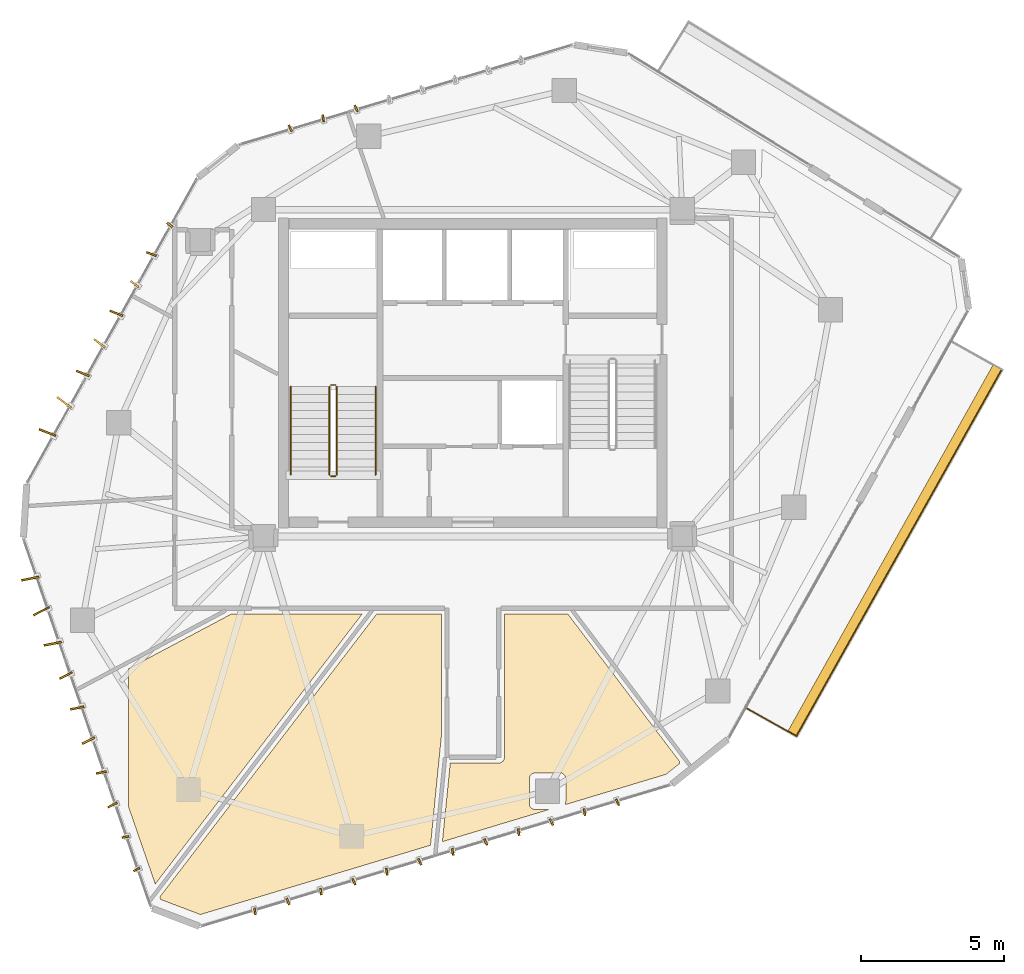
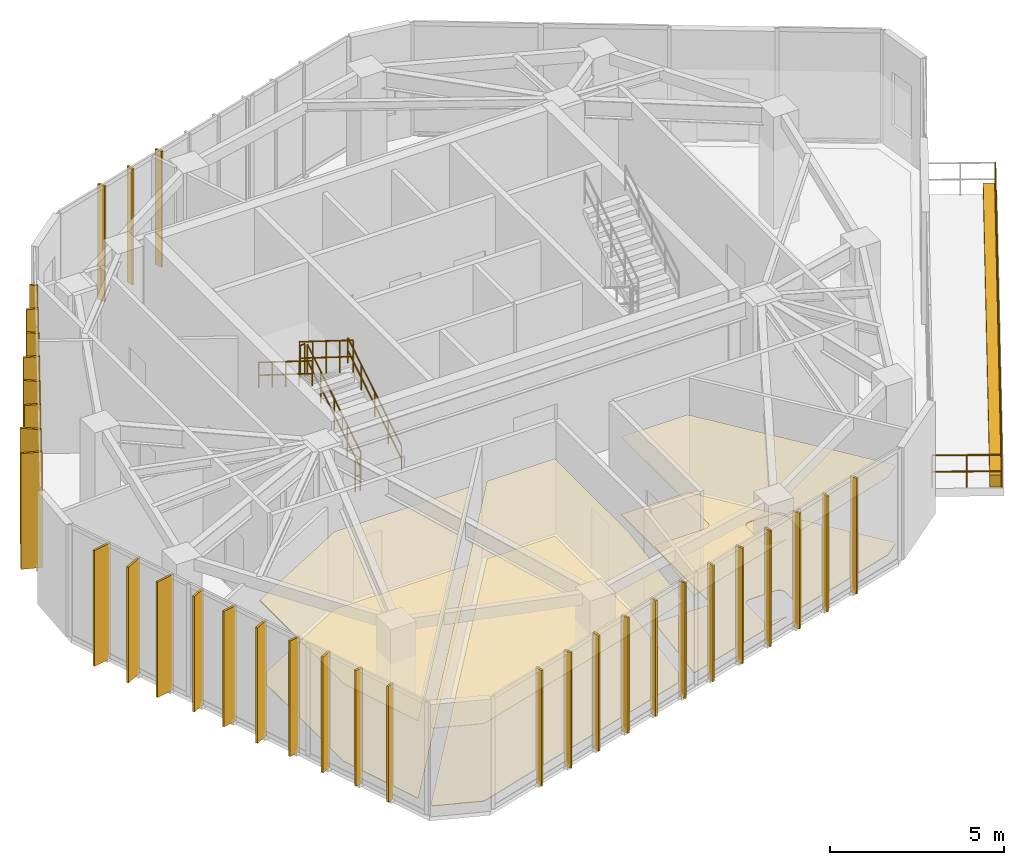
# One storey, part 19 of 20: 33 shading devices, 8 railings, 7 coverings.
"""IFC4 building model written with IfcOpenShell, lengths in metres."""

from ifc_helpers import new_model, si_unit, direction, frame, origin, origin_2d, place, context, subcontext, project, spatial, polyline, rectangle, circle, outline, extrude, source, transform, mapped, material, layer, layer_set, type_object, type_shapes, element, save


model = new_model("IFC4")

# Units and contexts
model_context = context("Model", 3, precision=1e-05, world=origin(), true_north=direction((0.0, 1.0)))
body_context = subcontext(model_context, "Body", "Model", "MODEL_VIEW")
ifc_project = project(units=[si_unit("LENGTHUNIT", "METRE"), si_unit("AREAUNIT", "SQUARE_METRE"), si_unit("VOLUMEUNIT", "CUBIC_METRE"), si_unit("PLANEANGLEUNIT", "RADIAN"), si_unit("MASSUNIT", "GRAM", prefix="KILO")], contexts=[model_context])

# Site, building, storey
site_placement = place(None, origin())
site = spatial("IfcSite", under=ifc_project, at=site_placement, CompositionType="ELEMENT")
building_placement = place(site_placement, origin())
building = spatial("IfcBuilding", under=site, at=building_placement, Name="Talar Marvaseh", CompositionType="ELEMENT")
storey_placement = place(building_placement, frame((0.0, 0.0, 291.800048828125)))
storey = spatial("IfcBuildingStorey", under=building, at=storey_placement, Name="L78", CompositionType="ELEMENT", Elevation=291.800048828125)

# Railings
ifc_material_1 = material(Name="Stainless Steel Grade 316", Category="steel")
railing_type_1 = type_object("IfcRailingType", Name="Brushed Stainless Wall Pitch Handrail 900", PredefinedType="HANDRAIL", material=ifc_material_1)
railing_1_placement = place(storey_placement, frame((22.610107421875, 27.64990234375, 0.175048828125)))
element("IfcRailing", 1, at=railing_1_placement, inside=storey, type_object=railing_type_1, Name="L78 ST-1 stair handrail 1", PredefinedType="HANDRAIL", context=body_context, shape_type="SweptSolid", body=[
    extrude(circle(Radius=0.02392578125, at=origin_2d()), frame((0.0, 0.0, 0.8759765625), z_axis=(0.0, 0.848028513186, 0.529950602248), x_axis=(-1.0, 0.0, 0.0)), (0.0, 0.0, 1.0), 3.632080078125),
    extrude(circle(Radius=0.02392578125, at=origin_2d()), frame((0.0, 0.0, 0.42578125), z_axis=(0.0, 0.848028513186, 0.529950602248), x_axis=(-1.0, 0.0, 0.0)), (0.0, 0.0, 1.0), 3.632080078125),
    extrude(circle(Radius=0.02099609375, at=origin_2d()), origin(), (0.0, 0.0, 1.0), 0.851806640625),
    extrude(circle(Radius=0.02099609375, at=origin_2d()), frame((0.0, 0.77001953125, 0.481201171875)), (0.0, 0.0, 1.0), 0.851806640625),
    extrude(circle(Radius=0.02099609375, at=origin_2d()), frame((0.0, 1.5400390625, 0.96240234375)), (0.0, 0.0, 1.0), 0.851806640625),
    extrude(circle(Radius=0.02099609375, at=origin_2d()), frame((0.0, 2.31005859375, 1.443603515625)), (0.0, 0.0, 1.0), 0.851806640625),
    extrude(circle(Radius=0.02099609375, at=origin_2d()), frame((0.0, 3.080078125, 1.9248046875)), (0.0, 0.0, 1.0), 0.851806640625),
])
railing_2_placement = place(storey_placement, frame((19.64990234375, 30.72998046875, 2.27490234375)))
element("IfcRailing", 2, at=railing_2_placement, inside=storey, type_object=railing_type_1, Name="L78 ST-1 stair handrail 2", PredefinedType="HANDRAIL", context=body_context, shape_type="SweptSolid", body=[
    extrude(circle(Radius=0.02392578125, at=origin_2d()), frame((0.0, 0.0, 0.8759765625), z_axis=(0.0, -0.847998304005, 0.529998940003), x_axis=(1.0, 0.0, 0.0)), (0.0, 0.0, 1.0), 3.632080078125),
    extrude(circle(Radius=0.02392578125, at=origin_2d()), frame((0.0, 0.0, 0.42578125), z_axis=(0.0, -0.847998304005, 0.529998940003), x_axis=(1.0, 0.0, 0.0)), (0.0, 0.0, 1.0), 3.632080078125),
    extrude(circle(Radius=0.02099609375, at=origin_2d()), origin(), (0.0, 0.0, 1.0), 0.851806640625),
    extrude(circle(Radius=0.02099609375, at=origin_2d()), frame((0.0, -0.77001953125, 0.481201171875)), (0.0, 0.0, 1.0), 0.851806640625),
    extrude(circle(Radius=0.02099609375, at=origin_2d()), frame((0.0, -1.5400390625, 0.96240234375)), (0.0, 0.0, 1.0), 0.851806640625),
    extrude(circle(Radius=0.02099609375, at=origin_2d()), frame((0.0, -2.31005859375, 1.44384765625)), (0.0, 0.0, 1.0), 0.851806640625),
    extrude(circle(Radius=0.02099609375, at=origin_2d()), frame((0.0, -3.080078125, 1.925048828125)), (0.0, 0.0, 1.0), 0.851806640625),
])
ifc_material_2 = material(Name="Tempered Clear Glass", Category="glass")
railing_type_2 = type_object("IfcRailingType", Name="External Laminated Glass Terrace Balustrade 1150", PredefinedType="BALUSTRADE", material=ifc_material_2)
railing_3_placement = place(storey_placement, frame((44.4462890625, 31.3125, 0.0)))
element("IfcRailing", 3, at=railing_3_placement, inside=storey, type_object=railing_type_2, Name="L78 External Terrace Balustrade 2 2", PredefinedType="BALUSTRADE", context=body_context, shape_type="SweptSolid", body=[
    extrude(circle(Radius=0.02392578125, at=origin_2d()), frame((0.0, 0.0, 1.1259765625), z_axis=(-0.488742451836, -0.87242811496, 0.0), x_axis=(0.87242811496, -0.488742451836, 0.0)), (0.0, 0.0, 1.0), 14.645263671875),
    extrude(circle(Radius=0.02392578125, at=origin_2d()), frame((0.0, 0.0, 0.55078125), z_axis=(-0.488742451836, -0.87242811496, 0.0), x_axis=(0.87242811496, -0.488742451836, 0.0)), (0.0, 0.0, 1.0), 14.645263671875),
    extrude(circle(Radius=0.02099609375, at=origin_2d()), origin(), (0.0, 0.0, 1.0), 1.101806640625),
    extrude(circle(Radius=0.02099609375, at=origin_2d()), frame((-0.550537109375, -0.98291015625, 0.0)), (0.0, 0.0, 1.0), 1.101806640625),
    extrude(circle(Radius=0.02099609375, at=origin_2d()), frame((-1.10107421875, -1.965576171875, 0.0)), (0.0, 0.0, 1.0), 1.101806640625),
    extrude(circle(Radius=0.02099609375, at=origin_2d()), frame((-1.65185546875, -2.948486328125, 0.0)), (0.0, 0.0, 1.0), 1.101806640625),
    extrude(circle(Radius=0.02099609375, at=origin_2d()), frame((-2.202392578125, -3.931396484375, 0.0)), (0.0, 0.0, 1.0), 1.101806640625),
    extrude(circle(Radius=0.02099609375, at=origin_2d()), frame((-2.7529296875, -4.9140625, 0.0)), (0.0, 0.0, 1.0), 1.101806640625),
    extrude(circle(Radius=0.02099609375, at=origin_2d()), frame((-3.303466796875, -5.89697265625, 0.0)), (0.0, 0.0, 1.0), 1.101806640625),
    extrude(circle(Radius=0.02099609375, at=origin_2d()), frame((-3.854248046875, -6.8798828125, 0.0)), (0.0, 0.0, 1.0), 1.101806640625),
    extrude(circle(Radius=0.02099609375, at=origin_2d()), frame((-4.40478515625, -7.86279296875, 0.0)), (0.0, 0.0, 1.0), 1.101806640625),
    extrude(circle(Radius=0.02099609375, at=origin_2d()), frame((-4.955322265625, -8.845458984375, 0.0)), (0.0, 0.0, 1.0), 1.101806640625),
    extrude(circle(Radius=0.02099609375, at=origin_2d()), frame((-5.505859375, -9.828369140625, 0.0)), (0.0, 0.0, 1.0), 1.101806640625),
    extrude(circle(Radius=0.02099609375, at=origin_2d()), frame((-6.056640625, -10.811279296875, 0.0)), (0.0, 0.0, 1.0), 1.101806640625),
    extrude(circle(Radius=0.02099609375, at=origin_2d()), frame((-6.607177734375, -11.7939453125, 0.0)), (0.0, 0.0, 1.0), 1.101806640625),
    extrude(circle(Radius=0.02099609375, at=origin_2d()), frame((-7.15771484375, -12.77685546875, 0.0)), (0.0, 0.0, 1.0), 1.101806640625),
])
railing_4_placement = place(storey_placement, frame((37.28857421875, 18.53564453125, 0.0)))
element("IfcRailing", 4, at=railing_4_placement, inside=storey, type_object=railing_type_2, Name="L78 External Terrace Balustrade 2 3", PredefinedType="BALUSTRADE", context=body_context, shape_type="SweptSolid", body=[
    extrude(circle(Radius=0.02392578125, at=origin_2d()), frame((0.0, 0.0, 1.1259765625), z_axis=(-0.872427301527, 0.488743903849, 0.0), x_axis=(-0.488743903849, -0.872427301527, 0.0)), (0.0, 0.0, 1.0), 2.010009765625),
    extrude(circle(Radius=0.02392578125, at=origin_2d()), frame((0.0, 0.0, 0.55078125), z_axis=(-0.872427301527, 0.488743903849, 0.0), x_axis=(-0.488743903849, -0.872427301527, 0.0)), (0.0, 0.0, 1.0), 2.010009765625),
    extrude(circle(Radius=0.02099609375, at=origin_2d()), origin(), (0.0, 0.0, 1.0), 1.101806640625),
    extrude(circle(Radius=0.02099609375, at=origin_2d()), frame((-0.876953125, 0.4912109375, 0.0)), (0.0, 0.0, 1.0), 1.101806640625),
    extrude(circle(Radius=0.02099609375, at=origin_2d()), frame((-1.753662109375, 0.982421875, 0.0)), (0.0, 0.0, 1.0), 1.101806640625),
])
railing_type_3 = type_object("IfcRailingType", Name="Painted Steel Core Stair Well Guardrail 1150", PredefinedType="GUARDRAIL", material=ifc_material_1)
railing_5_placement = place(storey_placement, frame((21.260009765625, 27.64990234375, 0.175048828125)))
element("IfcRailing", 5, at=railing_5_placement, inside=storey, type_object=railing_type_3, Name="L78 ST-1 stair guard 1", PredefinedType="GUARDRAIL", context=body_context, shape_type="SweptSolid", body=[
    extrude(circle(Radius=0.02392578125, at=origin_2d()), frame((0.0, 0.0, 1.1259765625), z_axis=(0.0, 0.848028513186, 0.529950602248), x_axis=(-1.0, 0.0, 0.0)), (0.0, 0.0, 1.0), 3.632080078125),
    extrude(circle(Radius=0.02392578125, at=origin_2d()), frame((0.0, 0.0, 0.55078125), z_axis=(0.0, 0.848028513186, 0.529950602248), x_axis=(-1.0, 0.0, 0.0)), (0.0, 0.0, 1.0), 3.632080078125),
    extrude(circle(Radius=0.02099609375, at=origin_2d()), origin(), (0.0, 0.0, 1.0), 1.101806640625),
    extrude(circle(Radius=0.02099609375, at=origin_2d()), frame((0.0, 0.77001953125, 0.481201171875)), (0.0, 0.0, 1.0), 1.101806640625),
    extrude(circle(Radius=0.02099609375, at=origin_2d()), frame((0.0, 1.5400390625, 0.96240234375)), (0.0, 0.0, 1.0), 1.101806640625),
    extrude(circle(Radius=0.02099609375, at=origin_2d()), frame((0.0, 2.31005859375, 1.443603515625)), (0.0, 0.0, 1.0), 1.101806640625),
    extrude(circle(Radius=0.02099609375, at=origin_2d()), frame((0.0, 3.080078125, 1.9248046875)), (0.0, 0.0, 1.0), 1.101806640625),
])
railing_6_placement = place(storey_placement, frame((21.2099609375, 30.780029296875, 2.099853515625)))
element("IfcRailing", 6, at=railing_6_placement, inside=storey, type_object=railing_type_3, Name="L78 ST-1 stair guard 2", PredefinedType="GUARDRAIL", context=body_context, shape_type="SweptSolid", body=[
    extrude(circle(Radius=0.02392578125, at=origin_2d()), frame((0.0, 0.0, 1.1259765625), z_axis=(-1.0, 0.0, 0.0), x_axis=(0.0, -1.0, 0.0)), (0.0, 0.0, 1.0), 0.159912109375),
    extrude(circle(Radius=0.02392578125, at=origin_2d()), frame((0.0, 0.0, 0.55078125), z_axis=(-1.0, 0.0, 0.0), x_axis=(0.0, -1.0, 0.0)), (0.0, 0.0, 1.0), 0.159912109375),
    extrude(circle(Radius=0.02099609375, at=origin_2d()), origin(), (0.0, 0.0, 1.0), 1.101806640625),
    extrude(circle(Radius=0.02099609375, at=origin_2d()), frame((-0.159912109375, 0.0, 0.0)), (0.0, 0.0, 1.0), 1.101806640625),
])
railing_7_placement = place(storey_placement, frame((21.0, 30.72998046875, 2.27490234375)))
element("IfcRailing", 7, at=railing_7_placement, inside=storey, type_object=railing_type_3, Name="L78 ST-1 stair guard 3", PredefinedType="GUARDRAIL", context=body_context, shape_type="SweptSolid", body=[
    extrude(circle(Radius=0.02392578125, at=origin_2d()), frame((0.0, 0.0, 1.1259765625), z_axis=(0.0, -0.847998304005, 0.529998940003), x_axis=(1.0, 0.0, 0.0)), (0.0, 0.0, 1.0), 3.632080078125),
    extrude(circle(Radius=0.02392578125, at=origin_2d()), frame((0.0, 0.0, 0.55078125), z_axis=(0.0, -0.847998304005, 0.529998940003), x_axis=(1.0, 0.0, 0.0)), (0.0, 0.0, 1.0), 3.632080078125),
    extrude(circle(Radius=0.02099609375, at=origin_2d()), origin(), (0.0, 0.0, 1.0), 1.101806640625),
    extrude(circle(Radius=0.02099609375, at=origin_2d()), frame((0.0, -0.77001953125, 0.481201171875)), (0.0, 0.0, 1.0), 1.101806640625),
    extrude(circle(Radius=0.02099609375, at=origin_2d()), frame((0.0, -1.5400390625, 0.96240234375)), (0.0, 0.0, 1.0), 1.101806640625),
    extrude(circle(Radius=0.02099609375, at=origin_2d()), frame((0.0, -2.31005859375, 1.44384765625)), (0.0, 0.0, 1.0), 1.101806640625),
    extrude(circle(Radius=0.02099609375, at=origin_2d()), frame((0.0, -3.080078125, 1.925048828125)), (0.0, 0.0, 1.0), 1.101806640625),
])
railing_8_placement = place(storey_placement, frame((21.2099609375, 27.60009765625, 0.0)))
element("IfcRailing", 8, at=railing_8_placement, inside=storey, type_object=railing_type_3, Name="L78 ST-1 stair guard 4", PredefinedType="GUARDRAIL", context=body_context, shape_type="SweptSolid", body=[
    extrude(circle(Radius=0.02392578125, at=origin_2d()), frame((0.0, 0.0, 1.1259765625), z_axis=(-1.0, 0.0, 0.0), x_axis=(0.0, -1.0, 0.0)), (0.0, 0.0, 1.0), 0.159912109375),
    extrude(circle(Radius=0.02392578125, at=origin_2d()), frame((0.0, 0.0, 0.55078125), z_axis=(-1.0, 0.0, 0.0), x_axis=(0.0, -1.0, 0.0)), (0.0, 0.0, 1.0), 0.159912109375),
    extrude(circle(Radius=0.02099609375, at=origin_2d()), origin(), (0.0, 0.0, 1.0), 1.101806640625),
    extrude(circle(Radius=0.02099609375, at=origin_2d()), frame((-0.159912109375, 0.0, 0.0)), (0.0, 0.0, 1.0), 1.101806640625),
])

# Coverings
ifc_material_3 = material(Name="Mineral Fibre Acoustic Ceiling")
ifc_layer_1 = layer(ifc_material_3, 0.02490234375)
ifc_layer_set_1 = layer_set([ifc_layer_1], Name="Mineral Fibre Acoustic Ceiling")
covering_type_1 = type_object("IfcCoveringType", Name="Perforated Mineral Fibre Acoustic Suspended Ceiling", PredefinedType="CEILING", material=ifc_layer_set_1)
covering_1_placement = place(storey_placement, frame((0.0, 0.0, 2.719970703125)))
element("IfcCovering", 9, at=covering_1_placement, inside=storey, type_object=covering_type_1, Name="L78 Hospitality Tea Pantry Acoustic Ceiling", PredefinedType="CEILING", context=body_context, shape_type="SweptSolid", body=[
    extrude(outline(polyline([(14.926025390625, 13.38037109375), (14.0, 16.054931640625), (14.0, 20.89306640625), (17.586669921875, 22.800048828125), (22.145751953125, 22.800048828125), (14.926025390625, 13.38037109375)])), origin(), (0.0, 0.0, 1.0), 0.02490234375),
])
covering_2_placement = place(storey_placement, frame((0.0, 0.0, 2.719970703125)))
element("IfcCovering", 10, at=covering_2_placement, inside=storey, type_object=covering_type_1, Name="L78 Registrar Mail and Post Room Acoustic Ceiling", PredefinedType="CEILING", context=body_context, shape_type="SweptSolid", body=[
    extrude(outline(polyline([(22.649658203125, 22.800048828125), (24.89990234375, 22.800048828125), (24.89990234375, 18.490966796875), (24.52490234375, 14.732666015625), (16.49853515625, 12.315673828125), (15.112060546875, 12.843017578125), (15.082763671875, 12.927490234375), (22.649658203125, 22.800048828125)])), origin(), (0.0, 0.0, 1.0), 0.02490234375),
])
covering_3_placement = place(storey_placement, frame((0.0, 0.0, 2.719970703125)))
element("IfcCovering", 11, at=covering_3_placement, inside=storey, type_object=covering_type_1, Name="L78 Scholars' Servery Pantry Acoustic Ceiling", PredefinedType="CEILING", context=body_context, shape_type="SweptSolid", body=[
    extrude(outline(polyline([(26.89990234375, 17.60009765625), (26.919677734375, 17.60107421875), (26.93896484375, 17.603759765625), (26.9580078125, 17.608642578125), (26.9765625, 17.615234375), (26.994384765625, 17.62353515625), (27.010986328125, 17.6337890625), (27.02685546875, 17.6455078125), (27.04150390625, 17.65869140625), (27.0546875, 17.673095703125), (27.06640625, 17.68896484375), (27.076416015625, 17.705810546875), (27.084716796875, 17.723388671875), (27.09130859375, 17.741943359375), (27.09619140625, 17.760986328125), (27.09912109375, 17.780517578125), (27.10009765625, 17.800048828125), (27.10009765625, 22.800048828125), (29.311279296875, 22.800048828125), (33.199951171875, 17.66943359375), (33.199951171875, 17.574951171875), (32.741455078125, 17.206787109375), (29.23828125, 16.152099609375), (29.239501953125, 16.160888671875), (29.240478515625, 16.180419921875), (29.244873046875, 17.04248046875), (29.244140625, 17.06103515625), (29.24169921875, 17.07958984375), (29.2373046875, 17.097900390625), (29.2314453125, 17.115478515625), (29.22412109375, 17.132568359375), (29.21484375, 17.14892578125), (29.204345703125, 17.164306640625), (29.1923828125, 17.1787109375), (29.17919921875, 17.191650390625), (29.164306640625, 17.205078125), (29.14990234375, 17.217041015625), (29.134765625, 17.227294921875), (29.118408203125, 17.236328125), (29.1015625, 17.243896484375), (29.083984375, 17.24951171875), (29.06591796875, 17.25390625), (29.047607421875, 17.256103515625), (29.029052734375, 17.257080078125), (28.16845703125, 17.252685546875), (28.148681640625, 17.25146484375), (28.12939453125, 17.24853515625), (28.110595703125, 17.24365234375), (28.09228515625, 17.237060546875), (28.074462890625, 17.228759765625), (28.057861328125, 17.218505859375), (28.0419921875, 17.206787109375), (28.027587890625, 17.193603515625), (28.014404296875, 17.17919921875), (28.0029296875, 17.163330078125), (27.992919921875, 17.146484375), (27.984619140625, 17.12890625), (27.97802734375, 17.110595703125), (27.97314453125, 17.091552734375), (27.970458984375, 17.072021484375), (27.969482421875, 17.052490234375), (27.969482421875, 16.181396484375), (27.970458984375, 16.161865234375), (27.97314453125, 16.142333984375), (27.97802734375, 16.123291015625), (27.984619140625, 16.10498046875), (27.992919921875, 16.087158203125), (28.003173828125, 16.0703125), (28.014892578125, 16.054443359375), (28.028076171875, 16.0400390625), (28.04248046875, 16.02685546875), (28.058349609375, 16.01513671875), (28.0751953125, 16.0048828125), (28.093017578125, 15.99658203125), (28.111328125, 15.989990234375), (28.13037109375, 15.985107421875), (28.14990234375, 15.982421875), (28.16943359375, 15.9814453125), (28.671875, 15.9814453125), (24.939453125, 14.857421875), (25.213134765625, 17.60009765625), (26.89990234375, 17.60009765625)])), origin(), (0.0, 0.0, 1.0), 0.02490234375),
])
ifc_material_4 = material(Name="Planted Terrace Vegetated Substrate")
ifc_layer_2 = layer(ifc_material_4, 0.39990234375)
ifc_layer_set_2 = layer_set([ifc_layer_2], Name="Planted Terrace Vegetated Substrate")
covering_type_2 = type_object("IfcCoveringType", Name="Planted Terrace Soil Planter Box Cladding", PredefinedType="CLADDING", material=ifc_layer_set_2)
covering_4_placement = place(storey_placement, origin())
element("IfcCovering", 12, at=covering_4_placement, inside=storey, type_object=covering_type_2, Name="L78 Balcony Structural Planter 2", PredefinedType="CLADDING", context=body_context, shape_type="SweptSolid", body=[
    extrude(outline(polyline([(44.4462890625, 31.3125), (37.28857421875, 18.53564453125), (36.9833984375, 18.706787109375), (44.14111328125, 31.4833984375), (44.4462890625, 31.3125)])), origin(), (0.0, 0.0, 1.0), 0.419921875),
])
ifc_material_5 = material(Name="Porcelain Stoneware Tile", Category="masonry")
ifc_layer_3 = layer(ifc_material_5, 0.02001953125)
ifc_layer_set_3 = layer_set([ifc_layer_3], Name="Porcelain Stoneware Tile")
covering_type_3 = type_object("IfcCoveringType", Name="Polished Porcelain Stoneware Gallery Flooring", PredefinedType="FLOORING", material=ifc_layer_set_3)
covering_5_placement = place(storey_placement, origin())
element("IfcCovering", 13, at=covering_5_placement, inside=storey, type_object=covering_type_3, Name="L78 Hospitality Tea Pantry Flooring", PredefinedType="FLOORING", context=body_context, shape_type="SweptSolid", body=[
    extrude(outline(polyline([(14.926025390625, 13.38037109375), (14.0, 16.054931640625), (14.0, 20.89306640625), (17.586669921875, 22.800048828125), (22.145751953125, 22.800048828125), (14.926025390625, 13.38037109375)])), origin(), (0.0, 0.0, 1.0), 0.02001953125),
])
covering_6_placement = place(storey_placement, origin())
element("IfcCovering", 14, at=covering_6_placement, inside=storey, type_object=covering_type_3, Name="L78 Registrar Mail and Post Room Flooring", PredefinedType="FLOORING", context=body_context, shape_type="SweptSolid", body=[
    extrude(outline(polyline([(22.649658203125, 22.800048828125), (24.89990234375, 22.800048828125), (24.89990234375, 18.490966796875), (24.52490234375, 14.732666015625), (16.49853515625, 12.315673828125), (15.112060546875, 12.843017578125), (15.082763671875, 12.927490234375), (22.649658203125, 22.800048828125)])), origin(), (0.0, 0.0, 1.0), 0.02001953125),
])
covering_7_placement = place(storey_placement, origin())
element("IfcCovering", 15, at=covering_7_placement, inside=storey, type_object=covering_type_3, Name="L78 Scholars' Servery Pantry Flooring", PredefinedType="FLOORING", context=body_context, shape_type="SweptSolid", body=[
    extrude(outline(polyline([(26.89990234375, 17.60009765625), (26.919677734375, 17.60107421875), (26.93896484375, 17.603759765625), (26.9580078125, 17.608642578125), (26.9765625, 17.615234375), (26.994384765625, 17.62353515625), (27.010986328125, 17.6337890625), (27.02685546875, 17.6455078125), (27.04150390625, 17.65869140625), (27.0546875, 17.673095703125), (27.06640625, 17.68896484375), (27.076416015625, 17.705810546875), (27.084716796875, 17.723388671875), (27.09130859375, 17.741943359375), (27.09619140625, 17.760986328125), (27.09912109375, 17.780517578125), (27.10009765625, 17.800048828125), (27.10009765625, 22.800048828125), (29.311279296875, 22.800048828125), (33.199951171875, 17.66943359375), (33.199951171875, 17.574951171875), (32.741455078125, 17.206787109375), (29.23828125, 16.152099609375), (29.239501953125, 16.160888671875), (29.240478515625, 16.180419921875), (29.244873046875, 17.04248046875), (29.244140625, 17.06103515625), (29.24169921875, 17.07958984375), (29.2373046875, 17.097900390625), (29.2314453125, 17.115478515625), (29.22412109375, 17.132568359375), (29.21484375, 17.14892578125), (29.204345703125, 17.164306640625), (29.1923828125, 17.1787109375), (29.17919921875, 17.191650390625), (29.164306640625, 17.205078125), (29.14990234375, 17.217041015625), (29.134765625, 17.227294921875), (29.118408203125, 17.236328125), (29.1015625, 17.243896484375), (29.083984375, 17.24951171875), (29.06591796875, 17.25390625), (29.047607421875, 17.256103515625), (29.029052734375, 17.257080078125), (28.16845703125, 17.252685546875), (28.148681640625, 17.25146484375), (28.12939453125, 17.24853515625), (28.110595703125, 17.24365234375), (28.09228515625, 17.237060546875), (28.074462890625, 17.228759765625), (28.057861328125, 17.218505859375), (28.0419921875, 17.206787109375), (28.027587890625, 17.193603515625), (28.014404296875, 17.17919921875), (28.0029296875, 17.163330078125), (27.992919921875, 17.146484375), (27.984619140625, 17.12890625), (27.97802734375, 17.110595703125), (27.97314453125, 17.091552734375), (27.970458984375, 17.072021484375), (27.969482421875, 17.052490234375), (27.969482421875, 16.181396484375), (27.970458984375, 16.161865234375), (27.97314453125, 16.142333984375), (27.97802734375, 16.123291015625), (27.984619140625, 16.10498046875), (27.992919921875, 16.087158203125), (28.003173828125, 16.0703125), (28.014892578125, 16.054443359375), (28.028076171875, 16.0400390625), (28.04248046875, 16.02685546875), (28.058349609375, 16.01513671875), (28.0751953125, 16.0048828125), (28.093017578125, 15.99658203125), (28.111328125, 15.989990234375), (28.13037109375, 15.985107421875), (28.14990234375, 15.982421875), (28.16943359375, 15.9814453125), (28.671875, 15.9814453125), (24.939453125, 14.857421875), (25.213134765625, 17.60009765625), (26.89990234375, 17.60009765625)])), origin(), (0.0, 0.0, 1.0), 0.02001953125),
])

# Shading devices
ifc_material_6 = material(Name="Anodised Champagne Bronze Aluminium", Category="aluminium")
ifc_layer_4 = layer(ifc_material_6, 0.06494140625)
ifc_layer_set_4 = layer_set([ifc_layer_4], Name="Anodised Champagne Bronze Aluminium")
shading_device_type_1 = type_object("IfcShadingDeviceType", Name="Sawtooth Champagne Bronze Vertical Fin 240", PredefinedType="USERDEFINED", material=ifc_layer_set_4)
shared_shape_1 = source(origin(), body_context, "Body", "SweptSolid", [
    extrude(rectangle(XDim=0.239990234375, YDim=0.06494140625, at=origin_2d()), origin(), (0.0, 0.0, 1.0), 4.06005859375),
])
type_shapes(shading_device_type_1, [shared_shape_1])
for number, where, z_axis, x_axis, name in (
    (16, (14.27978515625, 13.88671875, -0.1201171875), (0.0, 0.0, 1.0), (-0.890212804611, -0.455544907234, 0.0), "L78 Sawtooth Vertical Solar Fin"),
    (17, (13.88720703125, 15.020751953125, -0.1201171875), (0.0, 0.0, 1.0), (-0.981292663992, -0.192521966526, 0.0), "L78 Sawtooth Vertical Solar Fin"),
    (18, (15.431396484375, 36.365478515625, -0.1201171875), (0.0, 0.0, 1.0), (-0.796740914397, 0.604321036641, 0.0), "L78 Sawtooth Vertical Solar Fin"),
    (19, (19.63232421875, 39.737060546875, -0.1201171875), (0.0, 0.0, 1.0), (-0.41754991917, 0.9086539853, 0.0), "L78 Sawtooth Vertical Solar Fin"),
    (20, (20.78173828125, 40.081298828125, -0.1201171875), (0.0, 0.0, 1.0), (-0.15091576158, 0.988546626572, 0.0), "L78 Sawtooth Vertical Solar Fin"),
    (21, (21.931396484375, 40.42578125, -0.1201171875), (0.0, 0.0, 1.0), (-0.41754991917, 0.9086539853, 0.0), "L78 Sawtooth Vertical Solar Fin"),
    (22, (31.044189453125, 16.231201171875, -0.1201171875), (0.0, 0.0, 1.0), (0.418818232045, -0.908070090085, 0.0), "L78 Sawtooth Vertical Solar Fin"),
    (23, (29.895263671875, 15.885009765625, -0.1201171875), (0.0, 0.0, 1.0), (0.152295885498, -0.988334944875, 0.0), "L78 Sawtooth Vertical Solar Fin"),
    (24, (28.74609375, 15.5390625, -0.1201171875), (0.0, 0.0, 1.0), (0.418818232045, -0.908070090085, 0.0), "L78 Sawtooth Vertical Solar Fin"),
    (25, (27.59716796875, 15.193115234375, -0.1201171875), (0.0, 0.0, 1.0), (0.152295885498, -0.988334944875, 0.0), "L78 Sawtooth Vertical Solar Fin"),
    (26, (26.447998046875, 14.846923828125, -0.1201171875), (0.0, 0.0, 1.0), (0.418818232045, -0.908070090085, 0.0), "L78 Sawtooth Vertical Solar Fin"),
    (27, (25.299072265625, 14.5009765625, -0.1201171875), (0.0, 0.0, 1.0), (0.152295885498, -0.988334944875, 0.0), "L78 Sawtooth Vertical Solar Fin"),
    (28, (24.150146484375, 14.155029296875, -0.1201171875), (0.0, 0.0, 1.0), (0.418818232045, -0.908070090085, 0.0), "L78 Sawtooth Vertical Solar Fin"),
    (29, (23.0009765625, 13.80908203125, -0.1201171875), (0.0, 0.0, 1.0), (0.152295885498, -0.988334944875, 0.0), "L78 Sawtooth Vertical Solar Fin"),
    (30, (21.85205078125, 13.462890625, -0.1201171875), (0.0, 0.0, 1.0), (0.418818232045, -0.908070090085, 0.0), "L78 Sawtooth Vertical Solar Fin"),
    (31, (20.702880859375, 13.116943359375, -0.1201171875), (0.0, 0.0, 1.0), (0.152295885498, -0.988334944875, 0.0), "L78 Sawtooth Vertical Solar Fin"),
    (32, (19.553955078125, 12.77099609375, -0.1201171875), (0.0, 0.0, 1.0), (0.418818232045, -0.908070090085, 0.0), "L78 Sawtooth Vertical Solar Fin"),
    (33, (18.40478515625, 12.4248046875, -0.1201171875), (0.0, 0.0, 1.0), (0.152295885498, -0.988334944875, 0.0), "L78 Sawtooth Vertical Solar Fin"),
):
    element("IfcShadingDevice", number, at=place(storey_placement, frame(where, z_axis=z_axis, x_axis=x_axis)), inside=storey, type_object=shading_device_type_1, Name=name, ObjectType="FIN", PredefinedType="USERDEFINED", context=body_context, shape_type="MappedRepresentation", body=[
        mapped(shared_shape_1, transform((0.0, 0.0, 0.0), x_axis=(1.0, 0.0, 0.0), y_axis=(0.0, 1.0, 0.0), z_axis=(0.0, 0.0, 1.0), scale=1.0)),
    ])
ifc_layer_5 = layer(ifc_material_6, 0.06494140625)
ifc_layer_set_5 = layer_set([ifc_layer_5], Name="Anodised Champagne Bronze Aluminium")
shading_device_type_2 = type_object("IfcShadingDeviceType", Name="Sawtooth Champagne Bronze Vertical Fin 360", PredefinedType="USERDEFINED", material=ifc_layer_set_5)
shared_shape_2 = source(origin(), body_context, "Body", "SweptSolid", [
    extrude(rectangle(XDim=0.360107421875, YDim=0.06494140625, at=origin_2d()), origin(), (0.0, 0.0, 1.0), 4.06005859375),
])
type_shapes(shading_device_type_2, [shared_shape_2])
for number, where, z_axis, x_axis, name in (
    (34, (13.43798828125, 16.135009765625, -0.1201171875), (0.0, 0.0, 1.0), (-0.890212804611, -0.455544907234, 0.0), "L78 Sawtooth Vertical Solar Fin"),
    (35, (13.04541015625, 17.26904296875, -0.1201171875), (0.0, 0.0, 1.0), (-0.981292663992, -0.192521966526, 0.0), "L78 Sawtooth Vertical Solar Fin"),
    (36, (14.208740234375, 34.29931640625, -0.1201171875), (0.0, 0.0, 1.0), (-0.796740914397, 0.604321036641, 0.0), "L78 Sawtooth Vertical Solar Fin"),
    (37, (14.7939453125, 35.346923828125, -0.1201171875), (0.0, 0.0, 1.0), (-0.932449975201, 0.361299105657, 0.0), "L78 Sawtooth Vertical Solar Fin"),
):
    element("IfcShadingDevice", number, at=place(storey_placement, frame(where, z_axis=z_axis, x_axis=x_axis)), inside=storey, type_object=shading_device_type_2, Name=name, ObjectType="FIN", PredefinedType="USERDEFINED", context=body_context, shape_type="MappedRepresentation", body=[
        mapped(shared_shape_2, transform((0.0, 0.0, 0.0), x_axis=(1.0, 0.0, 0.0), y_axis=(0.0, 1.0, 0.0), z_axis=(0.0, 0.0, 1.0), scale=1.0)),
    ])
ifc_layer_6 = layer(ifc_material_6, 0.06494140625)
ifc_layer_set_6 = layer_set([ifc_layer_6], Name="Anodised Champagne Bronze Aluminium")
shading_device_type_3 = type_object("IfcShadingDeviceType", Name="Sawtooth Champagne Bronze Vertical Fin 480", PredefinedType="USERDEFINED", material=ifc_layer_set_6)
shared_shape_3 = source(origin(), body_context, "Body", "SweptSolid", [
    extrude(rectangle(XDim=0.47998046875, YDim=0.06494140625, at=origin_2d()), origin(), (0.0, 0.0, 1.0), 4.06005859375),
])
type_shapes(shading_device_type_3, [shared_shape_3])
for number, where, z_axis, x_axis, name in (
    (38, (12.59619140625, 18.38330078125, -0.1201171875), (0.0, 0.0, 1.0), (-0.890212804611, -0.455544907234, 0.0), "L78 Sawtooth Vertical Solar Fin"),
    (39, (12.20361328125, 19.517333984375, -0.1201171875), (0.0, 0.0, 1.0), (-0.981292663992, -0.192521966526, 0.0), "L78 Sawtooth Vertical Solar Fin"),
    (40, (11.810791015625, 20.651123046875, -0.1201171875), (0.0, 0.0, 1.0), (-0.890212804611, -0.455544907234, 0.0), "L78 Sawtooth Vertical Solar Fin"),
    (41, (12.40087890625, 31.185302734375, -0.1201171875), (0.0, 0.0, 1.0), (-0.932449975201, 0.361299105657, 0.0), "L78 Sawtooth Vertical Solar Fin"),
    (42, (12.986083984375, 32.233154296875, -0.1201171875), (0.0, 0.0, 1.0), (-0.796740914397, 0.604321036641, 0.0), "L78 Sawtooth Vertical Solar Fin"),
    (43, (13.5712890625, 33.28076171875, -0.1201171875), (0.0, 0.0, 1.0), (-0.932449975201, 0.361299105657, 0.0), "L78 Sawtooth Vertical Solar Fin"),
):
    element("IfcShadingDevice", number, at=place(storey_placement, frame(where, z_axis=z_axis, x_axis=x_axis)), inside=storey, type_object=shading_device_type_3, Name=name, ObjectType="FIN", PredefinedType="USERDEFINED", context=body_context, shape_type="MappedRepresentation", body=[
        mapped(shared_shape_3, transform((0.0, 0.0, 0.0), x_axis=(1.0, 0.0, 0.0), y_axis=(0.0, 1.0, 0.0), z_axis=(0.0, 0.0, 1.0), scale=1.0)),
    ])
ifc_layer_7 = layer(ifc_material_6, 0.06494140625)
ifc_layer_set_7 = layer_set([ifc_layer_7], Name="Anodised Champagne Bronze Aluminium")
shading_device_type_4 = type_object("IfcShadingDeviceType", Name="Sawtooth Champagne Bronze Vertical Fin 620", PredefinedType="USERDEFINED", material=ifc_layer_set_7)
shared_shape_4 = source(origin(), body_context, "Body", "SweptSolid", [
    extrude(rectangle(XDim=0.6201171875, YDim=0.06494140625, at=origin_2d()), origin(), (0.0, 0.0, 1.0), 4.06005859375),
])
type_shapes(shading_device_type_4, [shared_shape_4])
for number, where, z_axis, x_axis, name in (
    (44, (11.352294921875, 21.76220703125, -0.1201171875), (0.0, 0.0, 1.0), (-0.981292663992, -0.192521966526, 0.0), "L78 Sawtooth Vertical Solar Fin"),
    (45, (10.959716796875, 22.896240234375, -0.1201171875), (0.0, 0.0, 1.0), (-0.890212804611, -0.455544907234, 0.0), "L78 Sawtooth Vertical Solar Fin"),
    (46, (10.56689453125, 24.0302734375, -0.1201171875), (0.0, 0.0, 1.0), (-0.981292663992, -0.192521966526, 0.0), "L78 Sawtooth Vertical Solar Fin"),
    (47, (11.169677734375, 29.124267578125, -0.1201171875), (0.0, 0.0, 1.0), (-0.932449975201, 0.361299105657, 0.0), "L78 Sawtooth Vertical Solar Fin"),
    (48, (11.7548828125, 30.171875, -0.1201171875), (0.0, 0.0, 1.0), (-0.796740914397, 0.604321036641, 0.0), "L78 Sawtooth Vertical Solar Fin"),
):
    element("IfcShadingDevice", number, at=place(storey_placement, frame(where, z_axis=z_axis, x_axis=x_axis)), inside=storey, type_object=shading_device_type_4, Name=name, ObjectType="FIN", PredefinedType="USERDEFINED", context=body_context, shape_type="MappedRepresentation", body=[
        mapped(shared_shape_4, transform((0.0, 0.0, 0.0), x_axis=(1.0, 0.0, 0.0), y_axis=(0.0, 1.0, 0.0), z_axis=(0.0, 0.0, 1.0), scale=1.0)),
    ])

save(model, "model.ifc")
